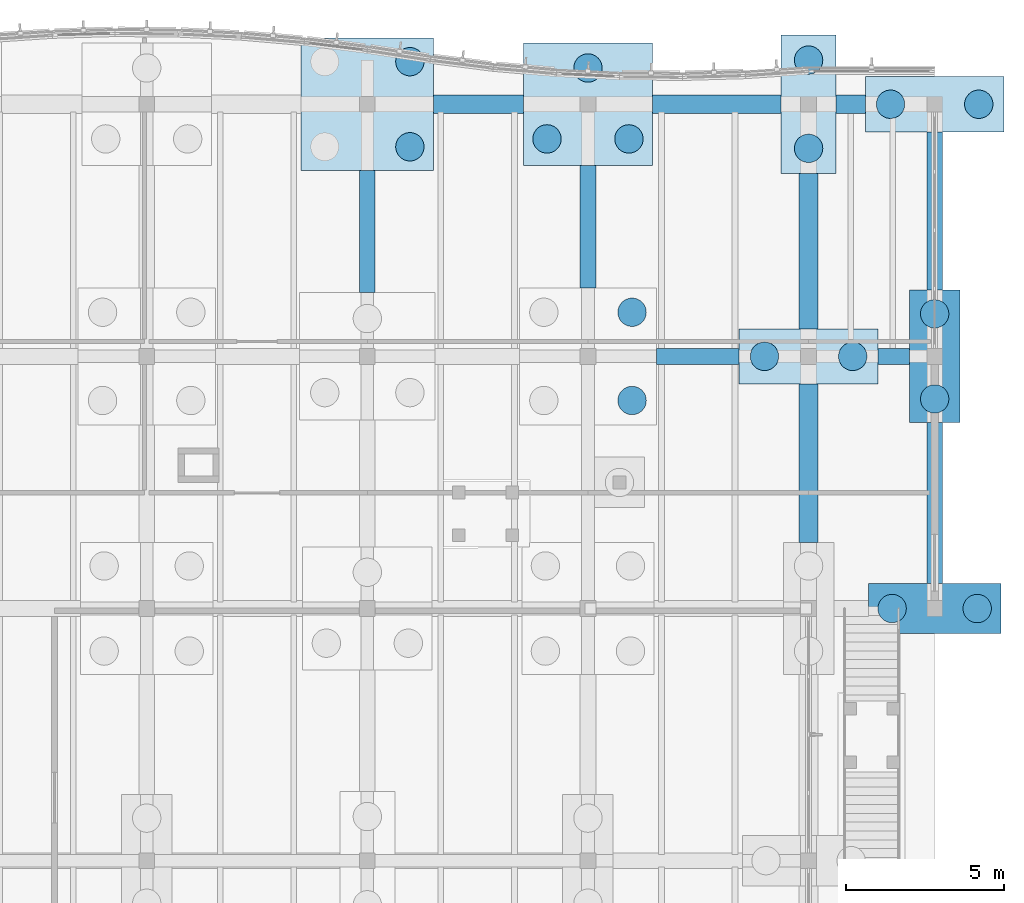
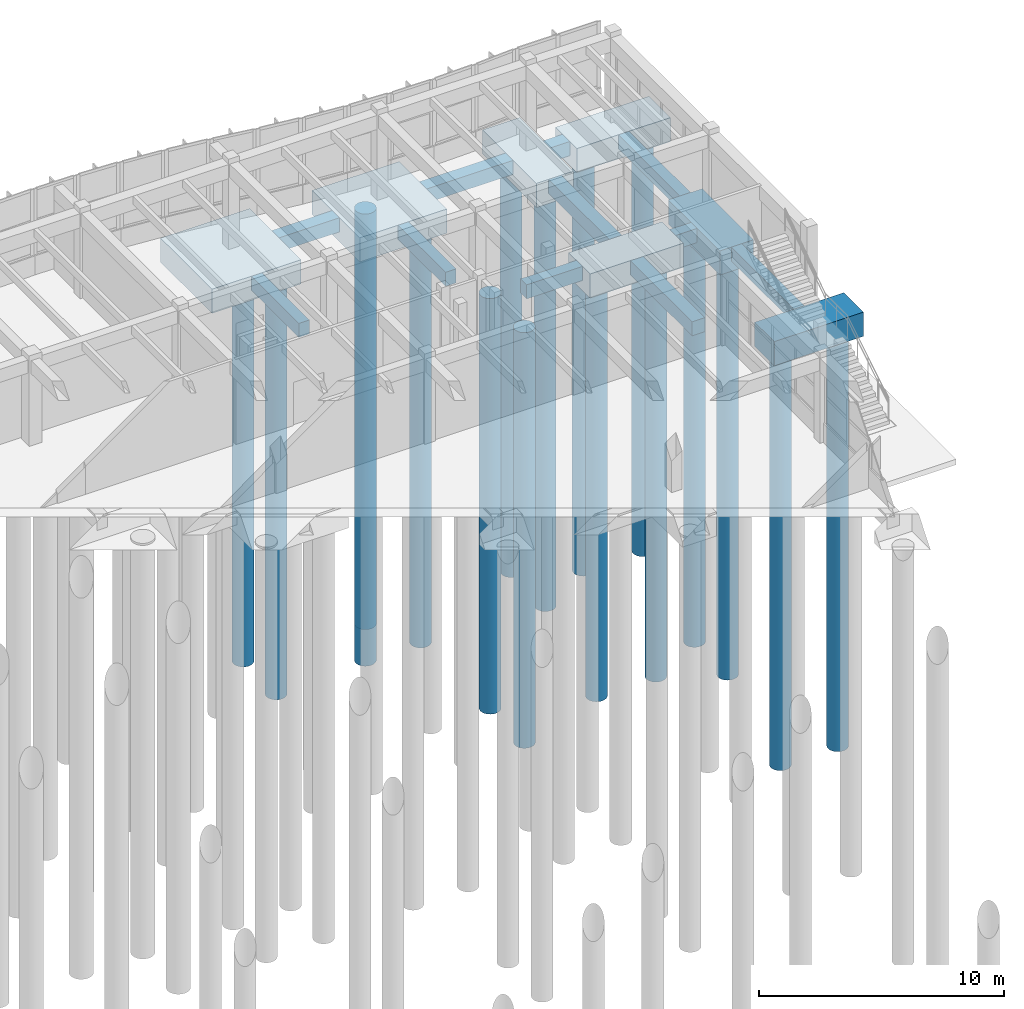
# One storey, part 9 of 99: 18 footings, 17 piles.
"""IFC4 building model written with IfcOpenShell, lengths in metres."""

from ifc_helpers import new_model, si_unit, direction, frame, origin, origin_2d, place, context, subcontext, project, spatial, rectangle, circle, extrude, material, material_profile, profile_set, type_object, element, save


model = new_model("IFC4")

# Units and contexts
model_context = context("Model", 3, precision=1e-05, world=origin(), true_north=direction((0.0, 1.0)))
body_context = subcontext(model_context, "Body", "Model", "MODEL_VIEW")
ifc_project = project(units=[si_unit("LENGTHUNIT", "METRE"), si_unit("AREAUNIT", "SQUARE_METRE"), si_unit("VOLUMEUNIT", "CUBIC_METRE"), si_unit("PLANEANGLEUNIT", "RADIAN"), si_unit("MASSUNIT", "GRAM", prefix="KILO")], contexts=[model_context])

# Site, building, storey
site_placement = place(None, origin())
site = spatial("IfcSite", under=ifc_project, at=site_placement, CompositionType="ELEMENT")
building_placement = place(site_placement, origin())
building = spatial("IfcBuilding", under=site, at=building_placement, Name="Tonlespit Floodbar School", CompositionType="ELEMENT")
storey_placement = place(building_placement, origin())
storey = spatial("IfcBuildingStorey", under=building, at=storey_placement, Name="L00", CompositionType="ELEMENT", Elevation=0.0)

# Footings
ifc_material_1 = material(Name="Concrete C40/50", Category="concrete")
footing_type_1 = type_object("IfcFootingType", Name="FootingBeam_RC_500x700", PredefinedType="FOOTING_BEAM", material=ifc_material_1)
footing_1_placement = place(storey_placement, frame((172.487548828125, 112.0, -0.89990234375), z_axis=(0.0, 0.0, 1.0), x_axis=(1.0, 0.0, 0.0)))
element("IfcFooting", 1, at=footing_1_placement, inside=storey, type_object=footing_type_1, Name="Ground tie beam FB-144", PredefinedType="FOOTING_BEAM", context=body_context, shape_type="SweptSolid", body=[
    extrude(rectangle(XDim=2.625, YDim=0.5, at=origin_2d()), origin(), (0.0, 0.0, 1.0), 0.699951171875),
])
footing_2_placement = place(storey_placement, frame((178.699951171875, 112.0, -0.89990234375), z_axis=(0.0, 0.0, 1.0), x_axis=(1.0, 0.0, 0.0)))
element("IfcFooting", 2, at=footing_2_placement, inside=storey, type_object=footing_type_1, Name="Ground tie beam FB-145", PredefinedType="FOOTING_BEAM", context=body_context, shape_type="SweptSolid", body=[
    extrude(rectangle(XDim=1.0, YDim=0.5, at=origin_2d()), origin(), (0.0, 0.0, 1.0), 0.699951171875),
])
for number, where, z_axis, x_axis, name in (
    (3, (162.0, 115.96240234375, -0.89990234375), (0.0, 0.0, 1.0), (0.0, 1.0, 0.0), "Ground tie beam FB-310"),
    (4, (169.0, 116.112548828125, -0.89990234375), (0.0, 0.0, 1.0), (0.0, 1.0, 0.0), "Ground tie beam FB-317"),
):
    element("IfcFooting", number, at=place(storey_placement, frame(where, z_axis=z_axis, x_axis=x_axis)), inside=storey, type_object=footing_type_1, Name=name, PredefinedType="FOOTING_BEAM", context=body_context, shape_type="SweptSolid", body=[
        extrude(rectangle(XDim=3.875, YDim=0.5, at=origin_2d()), origin(), (0.0, 0.0, 1.0), 0.699951171875),
    ])
footing_3_placement = place(storey_placement, frame((180.0, 107.35009765625, -0.89990234375), z_axis=(0.0, 0.0, 1.0), x_axis=(0.0, 1.0, 0.0)))
element("IfcFooting", 5, at=footing_3_placement, inside=storey, type_object=footing_type_1, Name="Ground tie beam FB-332", PredefinedType="FOOTING_BEAM", context=body_context, shape_type="SweptSolid", body=[
    extrude(rectangle(XDim=5.10009765625, YDim=0.5, at=origin_2d()), origin(), (0.0, 0.0, 1.0), 0.699951171875),
])
footing_4_placement = place(storey_placement, frame((180.0, 116.612548828125, -0.89990234375), z_axis=(0.0, 0.0, 1.0), x_axis=(0.0, 1.0, 0.0)))
element("IfcFooting", 6, at=footing_4_placement, inside=storey, type_object=footing_type_1, Name="Ground tie beam FB-333", PredefinedType="FOOTING_BEAM", context=body_context, shape_type="SweptSolid", body=[
    extrude(rectangle(XDim=5.02490234375, YDim=0.5, at=origin_2d()), origin(), (0.0, 0.0, 1.0), 0.699951171875),
])
footing_type_2 = type_object("IfcFootingType", Name="PileCap_2PX_4200x1600", PredefinedType="PILE_CAP", material=ifc_material_1)
footing_5_placement = place(storey_placement, frame((180.0, 104.0, -1.39990234375), z_axis=(0.0, 0.0, 1.0), x_axis=(1.0, 0.0, 0.0)))
element("IfcFooting", 7, at=footing_5_placement, inside=storey, type_object=footing_type_2, Name="Pile cap FC-209 at U23/V15", PredefinedType="PILE_CAP", context=body_context, shape_type="SweptSolid", body=[
    extrude(rectangle(XDim=4.199951171875, YDim=1.60009765625, at=origin_2d()), origin(), (0.0, 0.0, 1.0), 1.199951171875),
])
footing_type_3 = type_object("IfcFootingType", Name="PileCap_2PX_4400x1750", PredefinedType="PILE_CAP", material=ifc_material_1)
for number, where, z_axis, x_axis, name in (
    (8, (176.0, 112.0, -1.39990234375), (0.0, 0.0, 1.0), (1.0, 0.0, 0.0), "Pile cap FC-207 at U22/V16"),
    (9, (180.0, 120.0, -1.39990234375), (0.0, 0.0, 1.0), (1.0, 0.0, 0.0), "Pile cap FC-211 at U23/V17"),
):
    element("IfcFooting", number, at=place(storey_placement, frame(where, z_axis=z_axis, x_axis=x_axis)), inside=storey, type_object=footing_type_3, Name=name, PredefinedType="PILE_CAP", context=body_context, shape_type="SweptSolid", body=[
        extrude(rectangle(XDim=4.39990234375, YDim=1.75, at=origin_2d()), origin(), (0.0, 0.0, 1.0), 1.199951171875),
    ])
footing_type_4 = type_object("IfcFootingType", Name="PileCap_2PY_1600x4200", PredefinedType="PILE_CAP", material=ifc_material_1)
footing_6_placement = place(storey_placement, frame((180.0, 112.0, -1.39990234375), z_axis=(0.0, 0.0, 1.0), x_axis=(1.0, 0.0, 0.0)))
element("IfcFooting", 10, at=footing_6_placement, inside=storey, type_object=footing_type_4, Name="Pile cap FC-210 at U23/V16", PredefinedType="PILE_CAP", context=body_context, shape_type="SweptSolid", body=[
    extrude(rectangle(XDim=1.60009765625, YDim=4.199951171875, at=origin_2d()), origin(), (0.0, 0.0, 1.0), 1.199951171875),
])
footing_type_5 = type_object("IfcFootingType", Name="PileCap_2PY_1750x4400", PredefinedType="PILE_CAP", material=ifc_material_1)
footing_7_placement = place(storey_placement, frame((176.0, 120.0, -1.39990234375), z_axis=(0.0, 0.0, 1.0), x_axis=(1.0, 0.0, 0.0)))
element("IfcFooting", 11, at=footing_7_placement, inside=storey, type_object=footing_type_5, Name="Pile cap FC-208 at U22/V17", PredefinedType="PILE_CAP", context=body_context, shape_type="SweptSolid", body=[
    extrude(rectangle(XDim=1.75, YDim=4.39990234375, at=origin_2d()), origin(), (0.0, 0.0, 1.0), 1.199951171875),
])
footing_type_6 = type_object("IfcFootingType", Name="PileCap_3P_4100x3900", PredefinedType="PILE_CAP", material=ifc_material_1)
footing_8_placement = place(storey_placement, frame((169.0, 120.0, -1.39990234375), z_axis=(0.0, 0.0, 1.0), x_axis=(1.0, 0.0, 0.0)))
element("IfcFooting", 12, at=footing_8_placement, inside=storey, type_object=footing_type_6, Name="Pile cap FC-193 at U21/V17", PredefinedType="PILE_CAP", context=body_context, shape_type="SweptSolid", body=[
    extrude(rectangle(XDim=4.10009765625, YDim=3.89990234375, at=origin_2d()), origin(), (0.0, 0.0, 1.0), 1.199951171875),
])
footing_type_7 = type_object("IfcFootingType", Name="PileCap_4P_4200x4200", PredefinedType="PILE_CAP", material=ifc_material_1)
footing_9_placement = place(storey_placement, frame((162.0, 120.0, -1.39990234375), z_axis=(0.0, 0.0, 1.0), x_axis=(1.0, 0.0, 0.0)))
element("IfcFooting", 13, at=footing_9_placement, inside=storey, type_object=footing_type_7, Name="Pile cap FC-183 at U20/V17", PredefinedType="PILE_CAP", context=body_context, shape_type="SweptSolid", body=[
    extrude(rectangle(XDim=4.199951171875, YDim=4.199951171875, at=origin_2d()), origin(), (0.0, 0.0, 1.0), 1.199951171875),
])

# Piles
ifc_material_2 = material(Name="Concrete C35/45", Category="concrete")
ifc_material_profile = material_profile(ifc_material_2, circle(Radius=0.449951171875, at=origin_2d()), Name="BP D900")
ifc_profile_set = profile_set([ifc_material_profile], Name="Concrete C35/45")
pile_type = type_object("IfcPileType", Name="Pile_RC_D900", PredefinedType="BORED", material=ifc_profile_set)
for number, where, z_axis, x_axis, name in (
    (14, (163.35009765625, 118.64990234375, -1.300048828125), (0.0, 0.0, -1.0), (1.0, 0.0, 0.0), "Bored pile PL-0532"),
    (15, (163.35009765625, 121.35009765625, -1.300048828125), (0.0, 0.0, -1.0), (1.0, 0.0, 0.0), "Bored pile PL-0534"),
    (16, (170.39990234375, 110.60009765625, -1.300048828125), (0.0, 0.0, -1.0), (1.0, 0.0, 0.0), "Bored pile PL-0556"),
    (17, (170.39990234375, 113.39990234375, -1.300048828125), (0.0, 0.0, -1.0), (1.0, 0.0, 0.0), "Bored pile PL-0558"),
    (18, (167.699951171875, 118.89990234375, -1.300048828125), (0.0, 0.0, -1.0), (1.0, 0.0, 0.0), "Bored pile PL-0559"),
    (19, (170.300048828125, 118.89990234375, -1.300048828125), (0.0, 0.0, -1.0), (1.0, 0.0, 0.0), "Bored pile PL-0560"),
    (20, (169.0, 121.14990234375, -1.300048828125), (0.0, 0.0, -1.0), (1.0, 0.0, 0.0), "Bored pile PL-0561"),
    (21, (174.60009765625, 112.0, -1.300048828125), (0.0, 0.0, -1.0), (1.0, 0.0, 0.0), "Bored pile PL-0596"),
    (22, (177.39990234375, 112.0, -1.300048828125), (0.0, 0.0, -1.0), (1.0, 0.0, 0.0), "Bored pile PL-0597"),
    (23, (176.0, 118.60009765625, -1.300048828125), (0.0, 0.0, -1.0), (1.0, 0.0, 0.0), "Bored pile PL-0598"),
    (24, (176.0, 121.39990234375, -1.300048828125), (0.0, 0.0, -1.0), (1.0, 0.0, 0.0), "Bored pile PL-0599"),
    (25, (178.64990234375, 104.0, -1.300048828125), (0.0, 0.0, -1.0), (1.0, 0.0, 0.0), "Bored pile PL-0600"),
    (26, (181.35009765625, 104.0, -1.300048828125), (0.0, 0.0, -1.0), (1.0, 0.0, 0.0), "Bored pile PL-0601"),
    (27, (180.0, 110.64990234375, -1.300048828125), (0.0, 0.0, -1.0), (1.0, 0.0, 0.0), "Bored pile PL-0602"),
    (28, (180.0, 113.35009765625, -1.300048828125), (0.0, 0.0, -1.0), (1.0, 0.0, 0.0), "Bored pile PL-0603"),
    (29, (178.60009765625, 120.0, -1.300048828125), (0.0, 0.0, -1.0), (1.0, 0.0, 0.0), "Bored pile PL-0604"),
    (30, (181.39990234375, 120.0, -1.300048828125), (0.0, 0.0, -1.0), (1.0, 0.0, 0.0), "Bored pile PL-0605"),
):
    element("IfcPile", number, at=place(storey_placement, frame(where, z_axis=z_axis, x_axis=x_axis)), inside=storey, type_object=pile_type, Name=name, PredefinedType="BORED", context=body_context, shape_type="SweptSolid", body=[
        extrude(circle(Radius=0.449951171875, at=origin_2d()), origin(), (0.0, 0.0, 1.0), 20.699951171875),
    ])

# Footings
footing_type_8 = type_object("IfcFootingType", Name="StripFooting_RC_600x700", PredefinedType="STRIP_FOOTING", material=ifc_material_1)
footing_10_placement = place(storey_placement, frame((165.52490234375, 120.0, -0.89990234375), z_axis=(0.0, 0.0, 1.0), x_axis=(1.0, 0.0, 0.0)))
element("IfcFooting", 31, at=footing_10_placement, inside=storey, type_object=footing_type_8, Name="Ground tie beam FB-160", PredefinedType="STRIP_FOOTING", context=body_context, shape_type="SweptSolid", body=[
    extrude(rectangle(XDim=2.85009765625, YDim=0.60009765625, at=origin_2d()), origin(), (0.0, 0.0, 1.0), 0.699951171875),
])
footing_11_placement = place(storey_placement, frame((173.08740234375, 120.0, -0.89990234375), z_axis=(0.0, 0.0, 1.0), x_axis=(1.0, 0.0, 0.0)))
element("IfcFooting", 32, at=footing_11_placement, inside=storey, type_object=footing_type_8, Name="Ground tie beam FB-161", PredefinedType="STRIP_FOOTING", context=body_context, shape_type="SweptSolid", body=[
    extrude(rectangle(XDim=4.074951171875, YDim=0.60009765625, at=origin_2d()), origin(), (0.0, 0.0, 1.0), 0.699951171875),
])
footing_12_placement = place(storey_placement, frame((177.33740234375, 120.0, -0.89990234375), z_axis=(0.0, 0.0, 1.0), x_axis=(1.0, 0.0, 0.0)))
element("IfcFooting", 33, at=footing_12_placement, inside=storey, type_object=footing_type_8, Name="Ground tie beam FB-162", PredefinedType="STRIP_FOOTING", context=body_context, shape_type="SweptSolid", body=[
    extrude(rectangle(XDim=0.925048828125, YDim=0.60009765625, at=origin_2d()), origin(), (0.0, 0.0, 1.0), 0.699951171875),
])
footing_13_placement = place(storey_placement, frame((176.0, 108.612548828125, -0.89990234375), z_axis=(0.0, 0.0, 1.0), x_axis=(0.0, 1.0, 0.0)))
element("IfcFooting", 34, at=footing_13_placement, inside=storey, type_object=footing_type_8, Name="Ground tie beam FB-330", PredefinedType="STRIP_FOOTING", context=body_context, shape_type="SweptSolid", body=[
    extrude(rectangle(XDim=5.02490234375, YDim=0.60009765625, at=origin_2d()), origin(), (0.0, 0.0, 1.0), 0.699951171875),
])
footing_14_placement = place(storey_placement, frame((176.0, 115.33740234375, -0.89990234375), z_axis=(0.0, 0.0, 1.0), x_axis=(0.0, 1.0, 0.0)))
element("IfcFooting", 35, at=footing_14_placement, inside=storey, type_object=footing_type_8, Name="Ground tie beam FB-331", PredefinedType="STRIP_FOOTING", context=body_context, shape_type="SweptSolid", body=[
    extrude(rectangle(XDim=4.925048828125, YDim=0.60009765625, at=origin_2d()), origin(), (0.0, 0.0, 1.0), 0.699951171875),
])

save(model, "model.ifc")
